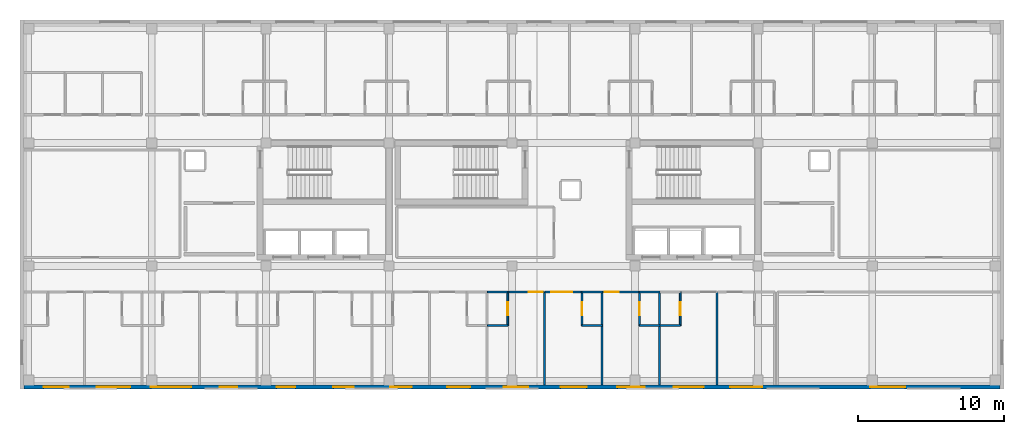
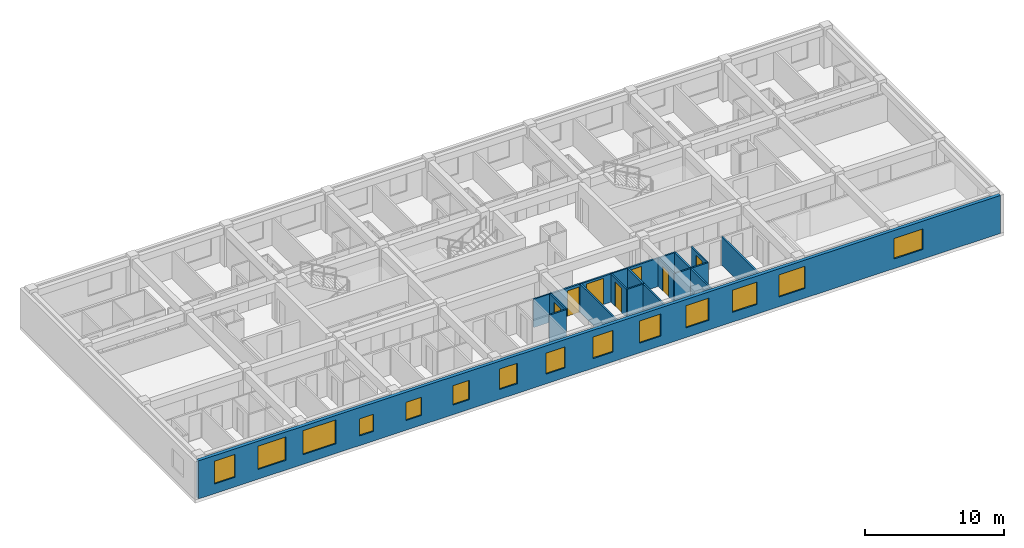
# One storey, part 5 of 10: 19 walls, 14 windows, 7 doors, 21 openings.
"""IFC4 building model written with IfcOpenShell, lengths in metres."""

from ifc_helpers import new_model, si_unit, direction, frame, frame_2d, origin, place, context, subcontext, project, spatial, rectangle, extrude, material, layer, layer_set, type_object, element, fill, save


model = new_model("IFC4")

# Units and contexts
model_context = context("Model", 3, precision=1e-05, world=origin(), true_north=direction((0.0, 1.0)))
body_context = subcontext(model_context, "Body", "Model", "MODEL_VIEW")
ifc_project = project(units=[si_unit("LENGTHUNIT", "METRE"), si_unit("AREAUNIT", "SQUARE_METRE"), si_unit("VOLUMEUNIT", "CUBIC_METRE"), si_unit("PLANEANGLEUNIT", "RADIAN"), si_unit("MASSUNIT", "GRAM", prefix="KILO")], contexts=[model_context])

# Site, building, storey
site_placement = place(None, origin())
site = spatial("IfcSite", under=ifc_project, at=site_placement, CompositionType="ELEMENT")
building_placement = place(site_placement, origin())
building = spatial("IfcBuilding", under=site, at=building_placement, Name="Zayran Congress Hotel", CompositionType="ELEMENT")
storey_placement = place(building_placement, frame((0.0, 0.0, 30.0)))
storey = spatial("IfcBuildingStorey", under=building, at=storey_placement, Name="L07", CompositionType="ELEMENT", Elevation=30.0)

# Wall, openings, windows
ifc_material_1 = material(Name="Hajar Ma'ani limestone cavity wall and concrete C32/40", Category="masonry")
ifc_layer_1 = layer(ifc_material_1, 0.280029296875)
ifc_layer_set_1 = layer_set([ifc_layer_1], Name="Hajar Ma'ani limestone cavity wall and concrete C32/40")
wall_type_1 = type_object("IfcWallType", Name="WL-EX-280", PredefinedType="SOLIDWALL", material=ifc_layer_set_1)
wall_1_placement = place(storey_placement, frame((75.320068359375, 8.93994140625, 0.0), z_axis=(0.0, 0.0, 1.0), x_axis=(-1.0, 0.0, 0.0)))
wall_1 = element("IfcWall", 1, at=wall_1_placement, inside=storey, type_object=wall_type_1, Name="EW-V5-S-L07", PredefinedType="SOLIDWALL", context=body_context, shape_type="SweptSolid", body=[
    extrude(rectangle(XDim=66.64013671875, YDim=0.280029296875, at=frame_2d((33.320068359375, 0.0))), origin(), (0.0, 0.0, 1.0), 3.340087890625),
])
opening_1_placement = place(wall_1_placement, frame((6.469970703125, 0.0, 0.85009765625)))
opening_1 = element("IfcOpeningElement", 2, at=opening_1_placement, cuts=wall_1, Name="Opening WN-03", PredefinedType="OPENING", context=body_context, shape_type="SweptSolid", body=[
    extrude(rectangle(XDim=2.39990234375, YDim=1.800048828125, at=frame_2d((1.199951171875, 0.89990234375))), frame((0.0, 0.14990234375, 0.0), z_axis=(0.0, -1.0, 0.0), x_axis=(1.0, 0.0, 0.0)), (0.0, 0.0, 1.0), 0.300048828125),
])
opening_2_placement = place(wall_1_placement, frame((63.60595703125, 0.0, 0.85009765625)))
opening_2 = element("IfcOpeningElement", 3, at=opening_2_placement, cuts=wall_1, Name="Opening WN-27", PredefinedType="OPENING", context=body_context, shape_type="SweptSolid", body=[
    extrude(rectangle(XDim=1.699951171875, YDim=2.0, at=frame_2d((0.85009765625, 1.0))), frame((0.0, 0.14990234375, 0.0), z_axis=(0.0, -1.0, 0.0), x_axis=(1.0, 0.0, 0.0)), (0.0, 0.0, 1.0), 0.300048828125),
])
opening_3_placement = place(wall_1_placement, frame((59.37890625, 0.0, 0.85009765625)))
opening_3 = element("IfcOpeningElement", 4, at=opening_3_placement, cuts=wall_1, Name="Opening WN-28", PredefinedType="OPENING", context=body_context, shape_type="SweptSolid", body=[
    extrude(rectangle(XDim=2.300048828125, YDim=2.050048828125, at=frame_2d((1.14990234375, 1.02490234375))), frame((0.0, 0.14990234375, 0.0), z_axis=(0.0, -1.0, 0.0), x_axis=(1.0, 0.0, 0.0)), (0.0, 0.0, 1.0), 0.300048828125),
])
opening_4_placement = place(wall_1_placement, frame((55.22705078125, 0.0, 0.85009765625)))
opening_4 = element("IfcOpeningElement", 5, at=opening_4_placement, cuts=wall_1, Name="Opening WN-29", PredefinedType="OPENING", context=body_context, shape_type="SweptSolid", body=[
    extrude(rectangle(XDim=2.75, YDim=2.10009765625, at=frame_2d((1.375, 1.050048828125))), frame((0.0, 0.14990234375, 0.0), z_axis=(0.0, -1.0, 0.0), x_axis=(1.0, 0.0, 0.0)), (0.0, 0.0, 1.0), 0.300048828125),
])
opening_5_placement = place(wall_1_placement, frame((52.0849609375, 0.0, 0.85009765625)))
opening_5 = element("IfcOpeningElement", 6, at=opening_5_placement, cuts=wall_1, Name="Opening WN-31", PredefinedType="OPENING", context=body_context, shape_type="SweptSolid", body=[
    extrude(rectangle(XDim=1.179931640625, YDim=1.5, at=frame_2d((0.58984375, 0.75))), frame((0.0, 0.14990234375, 0.0), z_axis=(0.0, -1.0, 0.0), x_axis=(1.0, 0.0, 0.0)), (0.0, 0.0, 1.0), 0.300048828125),
])
opening_6_placement = place(wall_1_placement, frame((48.10791015625, 0.0, 0.85009765625)))
opening_6 = element("IfcOpeningElement", 7, at=opening_6_placement, cuts=wall_1, Name="Opening WN-32", PredefinedType="OPENING", context=body_context, shape_type="SweptSolid", body=[
    extrude(rectangle(XDim=1.280029296875, YDim=1.60009765625, at=frame_2d((0.64013671875, 0.800048828125))), frame((0.0, 0.14990234375, 0.0), z_axis=(0.0, -1.0, 0.0), x_axis=(1.0, 0.0, 0.0)), (0.0, 0.0, 1.0), 0.300048828125),
])
opening_7_placement = place(wall_1_placement, frame((44.131103515625, 0.0, 0.85009765625)))
opening_7 = element("IfcOpeningElement", 8, at=opening_7_placement, cuts=wall_1, Name="Opening WN-33", PredefinedType="OPENING", context=body_context, shape_type="SweptSolid", body=[
    extrude(rectangle(XDim=1.3798828125, YDim=1.699951171875, at=frame_2d((0.68994140625, 0.85009765625))), frame((0.0, 0.14990234375, 0.0), z_axis=(0.0, -1.0, 0.0), x_axis=(1.0, 0.0, 0.0)), (0.0, 0.0, 1.0), 0.300048828125),
])
opening_8_placement = place(wall_1_placement, frame((40.155029296875, 0.0, 0.85009765625)))
opening_8 = element("IfcOpeningElement", 9, at=opening_8_placement, cuts=wall_1, Name="Opening WN-34", PredefinedType="OPENING", context=body_context, shape_type="SweptSolid", body=[
    extrude(rectangle(XDim=1.47998046875, YDim=1.800048828125, at=frame_2d((0.739990234375, 0.89990234375))), frame((0.0, 0.14990234375, 0.0), z_axis=(0.0, -1.0, 0.0), x_axis=(1.0, 0.0, 0.0)), (0.0, 0.0, 1.0), 0.300048828125),
])
opening_9_placement = place(wall_1_placement, frame((36.177978515625, 0.0, 0.85009765625)))
opening_9 = element("IfcOpeningElement", 10, at=opening_9_placement, cuts=wall_1, Name="Opening WN-35", PredefinedType="OPENING", context=body_context, shape_type="SweptSolid", body=[
    extrude(rectangle(XDim=1.580078125, YDim=1.85009765625, at=frame_2d((0.7900390625, 0.925048828125))), frame((0.0, 0.14990234375, 0.0), z_axis=(0.0, -1.0, 0.0), x_axis=(1.0, 0.0, 0.0)), (0.0, 0.0, 1.0), 0.300048828125),
])
opening_10_placement = place(wall_1_placement, frame((32.200927734375, 0.0, 0.85009765625)))
opening_10 = element("IfcOpeningElement", 11, at=opening_10_placement, cuts=wall_1, Name="Opening WN-36", PredefinedType="OPENING", context=body_context, shape_type="SweptSolid", body=[
    extrude(rectangle(XDim=1.679931640625, YDim=1.89990234375, at=frame_2d((0.83984375, 0.949951171875))), frame((0.0, 0.14990234375, 0.0), z_axis=(0.0, -1.0, 0.0), x_axis=(1.0, 0.0, 0.0)), (0.0, 0.0, 1.0), 0.300048828125),
])
opening_11_placement = place(wall_1_placement, frame((28.22412109375, 0.0, 0.85009765625)))
opening_11 = element("IfcOpeningElement", 12, at=opening_11_placement, cuts=wall_1, Name="Opening WN-37", PredefinedType="OPENING", context=body_context, shape_type="SweptSolid", body=[
    extrude(rectangle(XDim=1.780029296875, YDim=1.949951171875, at=frame_2d((0.89013671875, 0.97509765625))), frame((0.0, 0.14990234375, 0.0), z_axis=(0.0, -1.0, 0.0), x_axis=(1.0, 0.0, 0.0)), (0.0, 0.0, 1.0), 0.300048828125),
])
opening_12_placement = place(wall_1_placement, frame((24.2470703125, 0.0, 0.85009765625)))
opening_12 = element("IfcOpeningElement", 13, at=opening_12_placement, cuts=wall_1, Name="Opening WN-38", PredefinedType="OPENING", context=body_context, shape_type="SweptSolid", body=[
    extrude(rectangle(XDim=1.8798828125, YDim=1.949951171875, at=frame_2d((0.93994140625, 0.97509765625))), frame((0.0, 0.14990234375, 0.0), z_axis=(0.0, -1.0, 0.0), x_axis=(1.0, 0.0, 0.0)), (0.0, 0.0, 1.0), 0.300048828125),
])
opening_13_placement = place(wall_1_placement, frame((20.235107421875, 0.0, 0.85009765625)))
opening_13 = element("IfcOpeningElement", 14, at=opening_13_placement, cuts=wall_1, Name="Opening WN-39", PredefinedType="OPENING", context=body_context, shape_type="SweptSolid", body=[
    extrude(rectangle(XDim=2.050048828125, YDim=1.949951171875, at=frame_2d((1.02490234375, 0.97509765625))), frame((0.0, 0.14990234375, 0.0), z_axis=(0.0, -1.0, 0.0), x_axis=(1.0, 0.0, 0.0)), (0.0, 0.0, 1.0), 0.300048828125),
])
opening_14_placement = place(wall_1_placement, frame((16.242919921875, 0.0, 0.85009765625)))
opening_14 = element("IfcOpeningElement", 15, at=opening_14_placement, cuts=wall_1, Name="Opening WN-40", PredefinedType="OPENING", context=body_context, shape_type="SweptSolid", body=[
    extrude(rectangle(XDim=2.179931640625, YDim=1.949951171875, at=frame_2d((1.08984375, 0.97509765625))), frame((0.0, 0.14990234375, 0.0), z_axis=(0.0, -1.0, 0.0), x_axis=(1.0, 0.0, 0.0)), (0.0, 0.0, 1.0), 0.300048828125),
])
ifc_material_2 = material(Name="Anodised aluminium and low-E insulated glass", Category="aluminium")
window_type_1 = type_object("IfcWindowType", Name="TP-WN-03", PartitioningType="DOUBLE_PANEL_VERTICAL", PredefinedType="WINDOW", material=ifc_material_2)
window_1_placement = place(opening_1_placement, origin())
window_1 = element("IfcWindow", 16, at=window_1_placement, inside=storey, type_object=window_type_1, Name="WIN-V5S-L07-0362", OverallHeight=1.800048828125, OverallWidth=2.39990234375, PartitioningType="SINGLE_PANEL", PredefinedType="WINDOW", context=body_context, shape_type="SweptSolid", body=[
    extrude(rectangle(XDim=2.39990234375, YDim=1.800048828125, at=frame_2d((1.199951171875, 0.89990234375))), frame((0.0, 0.030029296875, 0.0), z_axis=(0.0, -1.0, 0.0), x_axis=(1.0, 0.0, 0.0)), (0.0, 0.0, 1.0), 0.06005859375),
])
fill(opening_1, window_1)
window_type_2 = type_object("IfcWindowType", Name="TP-WN-27", PartitioningType="DOUBLE_PANEL_VERTICAL", PredefinedType="WINDOW", material=ifc_material_2)
window_2_placement = place(opening_2_placement, origin())
window_2 = element("IfcWindow", 17, at=window_2_placement, inside=storey, type_object=window_type_2, Name="WIN-V5S-L07-0363", OverallHeight=2.0, OverallWidth=1.699951171875, PartitioningType="SINGLE_PANEL", PredefinedType="WINDOW", context=body_context, shape_type="SweptSolid", body=[
    extrude(rectangle(XDim=1.699951171875, YDim=2.0, at=frame_2d((0.85009765625, 1.0))), frame((0.0, 0.030029296875, 0.0), z_axis=(0.0, -1.0, 0.0), x_axis=(1.0, 0.0, 0.0)), (0.0, 0.0, 1.0), 0.06005859375),
])
fill(opening_2, window_2)
window_type_3 = type_object("IfcWindowType", Name="TP-WN-28", PartitioningType="DOUBLE_PANEL_VERTICAL", PredefinedType="WINDOW", material=ifc_material_2)
window_3_placement = place(opening_3_placement, origin())
window_3 = element("IfcWindow", 18, at=window_3_placement, inside=storey, type_object=window_type_3, Name="WIN-V5S-L07-0364", OverallHeight=2.050048828125, OverallWidth=2.300048828125, PartitioningType="SINGLE_PANEL", PredefinedType="WINDOW", context=body_context, shape_type="SweptSolid", body=[
    extrude(rectangle(XDim=2.300048828125, YDim=2.050048828125, at=frame_2d((1.14990234375, 1.02490234375))), frame((0.0, 0.030029296875, 0.0), z_axis=(0.0, -1.0, 0.0), x_axis=(1.0, 0.0, 0.0)), (0.0, 0.0, 1.0), 0.06005859375),
])
fill(opening_3, window_3)
window_type_4 = type_object("IfcWindowType", Name="TP-WN-29", PartitioningType="TRIPLE_PANEL_VERTICAL", PredefinedType="WINDOW", material=ifc_material_2)
window_4_placement = place(opening_4_placement, origin())
window_4 = element("IfcWindow", 19, at=window_4_placement, inside=storey, type_object=window_type_4, Name="WIN-V5S-L07-0365", OverallHeight=2.10009765625, OverallWidth=2.75, PartitioningType="SINGLE_PANEL", PredefinedType="WINDOW", context=body_context, shape_type="SweptSolid", body=[
    extrude(rectangle(XDim=2.75, YDim=2.10009765625, at=frame_2d((1.375, 1.050048828125))), frame((0.0, 0.030029296875, 0.0), z_axis=(0.0, -1.0, 0.0), x_axis=(1.0, 0.0, 0.0)), (0.0, 0.0, 1.0), 0.06005859375),
])
fill(opening_4, window_4)
window_type_5 = type_object("IfcWindowType", Name="TP-WN-31", PartitioningType="SINGLE_PANEL", PredefinedType="WINDOW", material=ifc_material_2)
window_5_placement = place(opening_5_placement, origin())
window_5 = element("IfcWindow", 20, at=window_5_placement, inside=storey, type_object=window_type_5, Name="WIN-V5S-L07-0366", OverallHeight=1.5, OverallWidth=1.179931640625, PartitioningType="SINGLE_PANEL", PredefinedType="WINDOW", context=body_context, shape_type="SweptSolid", body=[
    extrude(rectangle(XDim=1.179931640625, YDim=1.5, at=frame_2d((0.58984375, 0.75))), frame((0.0, 0.030029296875, 0.0), z_axis=(0.0, -1.0, 0.0), x_axis=(1.0, 0.0, 0.0)), (0.0, 0.0, 1.0), 0.06005859375),
])
fill(opening_5, window_5)
window_type_6 = type_object("IfcWindowType", Name="TP-WN-32", PartitioningType="SINGLE_PANEL", PredefinedType="WINDOW", material=ifc_material_2)
window_6_placement = place(opening_6_placement, origin())
window_6 = element("IfcWindow", 21, at=window_6_placement, inside=storey, type_object=window_type_6, Name="WIN-V5S-L07-0367", OverallHeight=1.60009765625, OverallWidth=1.280029296875, PartitioningType="SINGLE_PANEL", PredefinedType="WINDOW", context=body_context, shape_type="SweptSolid", body=[
    extrude(rectangle(XDim=1.280029296875, YDim=1.60009765625, at=frame_2d((0.64013671875, 0.800048828125))), frame((0.0, 0.030029296875, 0.0), z_axis=(0.0, -1.0, 0.0), x_axis=(1.0, 0.0, 0.0)), (0.0, 0.0, 1.0), 0.06005859375),
])
fill(opening_6, window_6)
window_type_7 = type_object("IfcWindowType", Name="TP-WN-33", PartitioningType="SINGLE_PANEL", PredefinedType="WINDOW", material=ifc_material_2)
window_7_placement = place(opening_7_placement, origin())
window_7 = element("IfcWindow", 22, at=window_7_placement, inside=storey, type_object=window_type_7, Name="WIN-V5S-L07-0368", OverallHeight=1.699951171875, OverallWidth=1.3798828125, PartitioningType="SINGLE_PANEL", PredefinedType="WINDOW", context=body_context, shape_type="SweptSolid", body=[
    extrude(rectangle(XDim=1.3798828125, YDim=1.699951171875, at=frame_2d((0.68994140625, 0.85009765625))), frame((0.0, 0.030029296875, 0.0), z_axis=(0.0, -1.0, 0.0), x_axis=(1.0, 0.0, 0.0)), (0.0, 0.0, 1.0), 0.06005859375),
])
fill(opening_7, window_7)
window_type_8 = type_object("IfcWindowType", Name="TP-WN-34", PartitioningType="SINGLE_PANEL", PredefinedType="WINDOW", material=ifc_material_2)
window_8_placement = place(opening_8_placement, origin())
window_8 = element("IfcWindow", 23, at=window_8_placement, inside=storey, type_object=window_type_8, Name="WIN-V5S-L07-0369", OverallHeight=1.800048828125, OverallWidth=1.47998046875, PartitioningType="SINGLE_PANEL", PredefinedType="WINDOW", context=body_context, shape_type="SweptSolid", body=[
    extrude(rectangle(XDim=1.47998046875, YDim=1.800048828125, at=frame_2d((0.739990234375, 0.89990234375))), frame((0.0, 0.030029296875, 0.0), z_axis=(0.0, -1.0, 0.0), x_axis=(1.0, 0.0, 0.0)), (0.0, 0.0, 1.0), 0.06005859375),
])
fill(opening_8, window_8)
window_type_9 = type_object("IfcWindowType", Name="TP-WN-35", PartitioningType="DOUBLE_PANEL_VERTICAL", PredefinedType="WINDOW", material=ifc_material_2)
window_9_placement = place(opening_9_placement, origin())
window_9 = element("IfcWindow", 24, at=window_9_placement, inside=storey, type_object=window_type_9, Name="WIN-V5S-L07-0370", OverallHeight=1.85009765625, OverallWidth=1.580078125, PartitioningType="SINGLE_PANEL", PredefinedType="WINDOW", context=body_context, shape_type="SweptSolid", body=[
    extrude(rectangle(XDim=1.580078125, YDim=1.85009765625, at=frame_2d((0.7900390625, 0.925048828125))), frame((0.0, 0.030029296875, 0.0), z_axis=(0.0, -1.0, 0.0), x_axis=(1.0, 0.0, 0.0)), (0.0, 0.0, 1.0), 0.06005859375),
])
fill(opening_9, window_9)
window_type_10 = type_object("IfcWindowType", Name="TP-WN-36", PartitioningType="DOUBLE_PANEL_VERTICAL", PredefinedType="WINDOW", material=ifc_material_2)
window_10_placement = place(opening_10_placement, origin())
window_10 = element("IfcWindow", 25, at=window_10_placement, inside=storey, type_object=window_type_10, Name="WIN-V5S-L07-0371", OverallHeight=1.89990234375, OverallWidth=1.679931640625, PartitioningType="SINGLE_PANEL", PredefinedType="WINDOW", context=body_context, shape_type="SweptSolid", body=[
    extrude(rectangle(XDim=1.679931640625, YDim=1.89990234375, at=frame_2d((0.83984375, 0.949951171875))), frame((0.0, 0.030029296875, 0.0), z_axis=(0.0, -1.0, 0.0), x_axis=(1.0, 0.0, 0.0)), (0.0, 0.0, 1.0), 0.06005859375),
])
fill(opening_10, window_10)
window_type_11 = type_object("IfcWindowType", Name="TP-WN-37", PartitioningType="DOUBLE_PANEL_VERTICAL", PredefinedType="WINDOW", material=ifc_material_2)
window_11_placement = place(opening_11_placement, origin())
window_11 = element("IfcWindow", 26, at=window_11_placement, inside=storey, type_object=window_type_11, Name="WIN-V5S-L07-0372", OverallHeight=1.949951171875, OverallWidth=1.780029296875, PartitioningType="SINGLE_PANEL", PredefinedType="WINDOW", context=body_context, shape_type="SweptSolid", body=[
    extrude(rectangle(XDim=1.780029296875, YDim=1.949951171875, at=frame_2d((0.89013671875, 0.97509765625))), frame((0.0, 0.030029296875, 0.0), z_axis=(0.0, -1.0, 0.0), x_axis=(1.0, 0.0, 0.0)), (0.0, 0.0, 1.0), 0.06005859375),
])
fill(opening_11, window_11)
window_type_12 = type_object("IfcWindowType", Name="TP-WN-38", PartitioningType="DOUBLE_PANEL_VERTICAL", PredefinedType="WINDOW", material=ifc_material_2)
window_12_placement = place(opening_12_placement, origin())
window_12 = element("IfcWindow", 27, at=window_12_placement, inside=storey, type_object=window_type_12, Name="WIN-V5S-L07-0373", OverallHeight=1.949951171875, OverallWidth=1.8798828125, PartitioningType="SINGLE_PANEL", PredefinedType="WINDOW", context=body_context, shape_type="SweptSolid", body=[
    extrude(rectangle(XDim=1.8798828125, YDim=1.949951171875, at=frame_2d((0.93994140625, 0.97509765625))), frame((0.0, 0.030029296875, 0.0), z_axis=(0.0, -1.0, 0.0), x_axis=(1.0, 0.0, 0.0)), (0.0, 0.0, 1.0), 0.06005859375),
])
fill(opening_12, window_12)
window_type_13 = type_object("IfcWindowType", Name="TP-WN-39", PartitioningType="DOUBLE_PANEL_VERTICAL", PredefinedType="WINDOW", material=ifc_material_2)
window_13_placement = place(opening_13_placement, origin())
window_13 = element("IfcWindow", 28, at=window_13_placement, inside=storey, type_object=window_type_13, Name="WIN-V5S-L07-0374", OverallHeight=1.949951171875, OverallWidth=2.050048828125, PartitioningType="SINGLE_PANEL", PredefinedType="WINDOW", context=body_context, shape_type="SweptSolid", body=[
    extrude(rectangle(XDim=2.050048828125, YDim=1.949951171875, at=frame_2d((1.02490234375, 0.97509765625))), frame((0.0, 0.030029296875, 0.0), z_axis=(0.0, -1.0, 0.0), x_axis=(1.0, 0.0, 0.0)), (0.0, 0.0, 1.0), 0.06005859375),
])
fill(opening_13, window_13)
window_type_14 = type_object("IfcWindowType", Name="TP-WN-40", PartitioningType="DOUBLE_PANEL_VERTICAL", PredefinedType="WINDOW", material=ifc_material_2)
window_14_placement = place(opening_14_placement, origin())
window_14 = element("IfcWindow", 29, at=window_14_placement, inside=storey, type_object=window_type_14, Name="WIN-V5S-L07-0375", OverallHeight=1.949951171875, OverallWidth=2.179931640625, PartitioningType="SINGLE_PANEL", PredefinedType="WINDOW", context=body_context, shape_type="SweptSolid", body=[
    extrude(rectangle(XDim=2.179931640625, YDim=1.949951171875, at=frame_2d((1.08984375, 0.97509765625))), frame((0.0, 0.030029296875, 0.0), z_axis=(0.0, -1.0, 0.0), x_axis=(1.0, 0.0, 0.0)), (0.0, 0.0, 1.0), 0.06005859375),
])
fill(opening_14, window_14)

# Wall, opening, door
ifc_material_3 = material(Name="Hospitality guestroom acoustic partition", Category="gypsum")
ifc_layer_2 = layer(ifc_material_3, 0.139892578125)
ifc_layer_set_2 = layer_set([ifc_layer_2], Name="Hospitality guestroom acoustic partition")
wall_type_2 = type_object("IfcWallType", Name="WL-PT-140", PredefinedType="PARTITIONING", material=ifc_layer_set_2)
wall_2_placement = place(storey_placement, frame((41.7080078125, 15.419921875, 0.0), z_axis=(0.0, 0.0, 1.0), x_axis=(1.0, 0.0, 0.0)))
wall_2 = element("IfcWall", 30, at=wall_2_placement, inside=storey, type_object=wall_type_2, Name="IW-L07-0734", PredefinedType="PARTITIONING", context=body_context, shape_type="SweptSolid", body=[
    extrude(rectangle(XDim=2.52392578125, YDim=0.139892578125, at=frame_2d((1.261962890625, 0.0))), origin(), (0.0, 0.0, 1.0), 2.47998046875),
])
opening_15_placement = place(wall_2_placement, frame((1.424072265625, 0.0, 0.0)))
opening_15 = element("IfcOpeningElement", 31, at=opening_15_placement, cuts=wall_2, Name="Opening DR-GR-03", PredefinedType="OPENING", context=body_context, shape_type="SweptSolid", body=[
    extrude(rectangle(XDim=0.9599609375, YDim=2.25, at=frame_2d((0.47998046875, 1.125))), frame((0.0, 0.079833984375, 0.0), z_axis=(0.0, -1.0, 0.0), x_axis=(1.0, 0.0, 0.0)), (0.0, 0.0, 1.0), 0.159912109375),
])
ifc_material_4 = material(Name="Executive walnut veneer entry door", Category="wood")
door_type_1 = type_object("IfcDoorType", Name="TP-DR-GR-03", OperationType="NOTDEFINED", PredefinedType="DOOR", material=ifc_material_4)
door_1_placement = place(opening_15_placement, origin())
door_1 = element("IfcDoor", 32, at=door_1_placement, inside=storey, type_object=door_type_1, Name="Guest Room L07-09 Door", OperationType="SINGLE_SWING_LEFT", OverallHeight=2.25, OverallWidth=0.9599609375, PredefinedType="DOOR", context=body_context, shape_type="SweptSolid", body=[
    extrude(rectangle(XDim=0.9599609375, YDim=2.25, at=frame_2d((0.47998046875, 1.125))), frame((0.0, 0.02490234375, 0.0), z_axis=(0.0, -1.0, 0.0), x_axis=(1.0, 0.0, 0.0)), (0.0, 0.0, 1.0), 0.050048828125),
])
fill(opening_15, door_1)

wall_3_placement = place(storey_placement, frame((44.251953125, 15.419921875, 0.0), z_axis=(0.0, 0.0, 1.0), x_axis=(1.0, 0.0, 0.0)))
wall_3 = element("IfcWall", 33, at=wall_3_placement, inside=storey, type_object=wall_type_2, Name="IW-L07-0735", PredefinedType="PARTITIONING", context=body_context, shape_type="SweptSolid", body=[
    extrude(rectangle(XDim=2.52392578125, YDim=0.139892578125, at=frame_2d((1.261962890625, 0.0))), origin(), (0.0, 0.0, 1.0), 2.47998046875),
])
opening_16_placement = place(wall_3_placement, frame((0.424072265625, 0.0, 0.0)))
opening_16 = element("IfcOpeningElement", 34, at=opening_16_placement, cuts=wall_3, Name="Opening DR-ST-01", PredefinedType="OPENING", context=body_context, shape_type="SweptSolid", body=[
    extrude(rectangle(XDim=1.449951171875, YDim=2.300048828125, at=frame_2d((0.72509765625, 1.14990234375))), frame((0.0, 0.079833984375, 0.0), z_axis=(0.0, -1.0, 0.0), x_axis=(1.0, 0.0, 0.0)), (0.0, 0.0, 1.0), 0.159912109375),
])
ifc_material_5 = material(Name="Double walnut veneer suite entry door", Category="wood")
door_type_2 = type_object("IfcDoorType", Name="TP-DR-ST-01", OperationType="DOUBLE_DOOR_SINGLE_SWING", PredefinedType="DOOR", material=ifc_material_5)
door_2_placement = place(opening_16_placement, origin())
door_2 = element("IfcDoor", 35, at=door_2_placement, inside=storey, type_object=door_type_2, Name="Junior Suite L07-10 Door", OperationType="DOUBLE_DOOR_SINGLE_SWING", OverallHeight=2.300048828125, OverallWidth=1.449951171875, PredefinedType="DOOR", context=body_context, shape_type="SweptSolid", body=[
    extrude(rectangle(XDim=1.449951171875, YDim=2.300048828125, at=frame_2d((0.72509765625, 1.14990234375))), frame((0.0, 0.02490234375, 0.0), z_axis=(0.0, -1.0, 0.0), x_axis=(1.0, 0.0, 0.0)), (0.0, 0.0, 1.0), 0.050048828125),
])
fill(opening_16, door_2)

wall_4_placement = place(storey_placement, frame((48.178955078125, 15.419921875, 0.0), z_axis=(0.0, 0.0, 1.0), x_axis=(1.0, 0.0, 0.0)))
wall_4 = element("IfcWall", 36, at=wall_4_placement, inside=storey, type_object=wall_type_2, Name="IW-L07-0736", PredefinedType="PARTITIONING", context=body_context, shape_type="SweptSolid", body=[
    extrude(rectangle(XDim=2.52392578125, YDim=0.139892578125, at=frame_2d((1.261962890625, 0.0))), origin(), (0.0, 0.0, 1.0), 2.47998046875),
])
opening_17_placement = place(wall_4_placement, frame((0.139892578125, 0.0, 0.0)))
opening_17 = element("IfcOpeningElement", 37, at=opening_17_placement, cuts=wall_4, Name="Opening DR-GR-03", PredefinedType="OPENING", context=body_context, shape_type="SweptSolid", body=[
    extrude(rectangle(XDim=0.9599609375, YDim=2.25, at=frame_2d((0.47998046875, 1.125))), frame((0.0, 0.079833984375, 0.0), z_axis=(0.0, -1.0, 0.0), x_axis=(1.0, 0.0, 0.0)), (0.0, 0.0, 1.0), 0.159912109375),
])
door_3_placement = place(opening_17_placement, origin())
door_3 = element("IfcDoor", 38, at=door_3_placement, inside=storey, type_object=door_type_1, Name="Guest Room L07-11 Door", OperationType="SINGLE_SWING_RIGHT", OverallHeight=2.25, OverallWidth=0.9599609375, PredefinedType="DOOR", context=body_context, shape_type="SweptSolid", body=[
    extrude(rectangle(XDim=0.9599609375, YDim=2.25, at=frame_2d((0.47998046875, 1.125))), frame((0.0, 0.02490234375, 0.0), z_axis=(0.0, -1.0, 0.0), x_axis=(1.0, 0.0, 0.0)), (0.0, 0.0, 1.0), 0.050048828125),
])
fill(opening_17, door_3)

# Walls
for number, where, z_axis, x_axis, name in (
    (39, (44.23193359375, 9.080078125, 0.0), (0.0, 0.0, 1.0), (0.0, 1.0, 0.0), "IW-L07-2067"),
    (40, (48.158935546875, 9.080078125, 0.0), (0.0, 0.0, 1.0), (0.0, 1.0, 0.0), "IW-L07-2068"),
    (41, (52.0859375, 9.080078125, 0.0), (0.0, 0.0, 1.0), (0.0, 1.0, 0.0), "IW-L07-2069"),
    (42, (56.012939453125, 9.080078125, 0.0), (0.0, 0.0, 1.0), (0.0, 1.0, 0.0), "IW-L07-2070"),
):
    element("IfcWall", number, at=place(storey_placement, frame(where, z_axis=z_axis, x_axis=x_axis)), inside=storey, type_object=wall_type_2, Name=name, PredefinedType="PARTITIONING", context=body_context, shape_type="SweptSolid", body=[
        extrude(rectangle(XDim=6.349853515625, YDim=0.139892578125, at=frame_2d((3.1748046875, 0.0))), origin(), (0.0, 0.0, 1.0), 2.47998046875),
    ])

# Wall, opening, door
ifc_material_6 = material(Name="Moisture-resistant bathroom partition", Category="gypsum")
ifc_layer_3 = layer(ifc_material_6, 0.1201171875)
ifc_layer_set_3 = layer_set([ifc_layer_3], Name="Moisture-resistant bathroom partition")
wall_type_3 = type_object("IfcWallType", Name="WL-PT-120", PredefinedType="PARTITIONING", material=ifc_layer_set_3)
wall_5_placement = place(storey_placement, frame((41.7080078125, 13.1201171875, 0.0), z_axis=(0.0, 0.0, 1.0), x_axis=(0.0, 1.0, 0.0)))
wall_5 = element("IfcWall", 43, at=wall_5_placement, inside=storey, type_object=wall_type_3, Name="IW-L07-0227", PredefinedType="PARTITIONING", context=body_context, shape_type="SweptSolid", body=[
    extrude(rectangle(XDim=2.309814453125, YDim=0.1201171875, at=frame_2d((1.15478515625, 0.0))), origin(), (0.0, 0.0, 1.0), 2.47998046875),
])
opening_18_placement = place(wall_5_placement, frame((0.715087890625, 0.0, 0.0)))
opening_18 = element("IfcOpeningElement", 44, at=opening_18_placement, cuts=wall_5, Name="Opening DR-BT-01", PredefinedType="OPENING", context=body_context, shape_type="SweptSolid", body=[
    extrude(rectangle(XDim=0.8798828125, YDim=2.14990234375, at=frame_2d((0.43994140625, 1.074951171875))), frame((0.0, 0.070068359375, 0.0), z_axis=(0.0, -1.0, 0.0), x_axis=(1.0, 0.0, 0.0)), (0.0, 0.0, 1.0), 0.14013671875),
])
ifc_material_7 = material(Name="Moisture-resistant oak en-suite door", Category="wood")
door_type_3 = type_object("IfcDoorType", Name="TP-DR-BT-01", OperationType="NOTDEFINED", PredefinedType="DOOR", material=ifc_material_7)
door_4_placement = place(opening_18_placement, origin())
door_4 = element("IfcDoor", 45, at=door_4_placement, inside=storey, type_object=door_type_3, Name="En-Suite Bathroom L07-09 Door", OperationType="SINGLE_SWING_RIGHT", OverallHeight=2.14990234375, OverallWidth=0.8798828125, PredefinedType="DOOR", context=body_context, shape_type="SweptSolid", body=[
    extrude(rectangle(XDim=0.8798828125, YDim=2.14990234375, at=frame_2d((0.43994140625, 1.074951171875))), frame((0.0, 0.02490234375, 0.0), z_axis=(0.0, -1.0, 0.0), x_axis=(1.0, 0.0, 0.0)), (0.0, 0.0, 1.0), 0.050048828125),
])
fill(opening_18, door_4)

wall_6_placement = place(storey_placement, frame((46.77587890625, 13.1201171875, 0.0), z_axis=(0.0, 0.0, 1.0), x_axis=(0.0, 1.0, 0.0)))
wall_6 = element("IfcWall", 46, at=wall_6_placement, inside=storey, type_object=wall_type_3, Name="IW-L07-0228", PredefinedType="PARTITIONING", context=body_context, shape_type="SweptSolid", body=[
    extrude(rectangle(XDim=2.309814453125, YDim=0.1201171875, at=frame_2d((1.15478515625, 0.0))), origin(), (0.0, 0.0, 1.0), 2.47998046875),
])
opening_19_placement = place(wall_6_placement, frame((0.715087890625, 0.0, 0.0)))
opening_19 = element("IfcOpeningElement", 47, at=opening_19_placement, cuts=wall_6, Name="Opening DR-BT-01", PredefinedType="OPENING", context=body_context, shape_type="SweptSolid", body=[
    extrude(rectangle(XDim=0.8798828125, YDim=2.14990234375, at=frame_2d((0.43994140625, 1.074951171875))), frame((0.0, 0.070068359375, 0.0), z_axis=(0.0, -1.0, 0.0), x_axis=(1.0, 0.0, 0.0)), (0.0, 0.0, 1.0), 0.14013671875),
])
door_5_placement = place(opening_19_placement, origin())
door_5 = element("IfcDoor", 48, at=door_5_placement, inside=storey, type_object=door_type_3, Name="En-Suite Bathroom L07-10 Door", OperationType="SINGLE_SWING_LEFT", OverallHeight=2.14990234375, OverallWidth=0.8798828125, PredefinedType="DOOR", context=body_context, shape_type="SweptSolid", body=[
    extrude(rectangle(XDim=0.8798828125, YDim=2.14990234375, at=frame_2d((0.43994140625, 1.074951171875))), frame((0.0, 0.02490234375, 0.0), z_axis=(0.0, -1.0, 0.0), x_axis=(1.0, 0.0, 0.0)), (0.0, 0.0, 1.0), 0.050048828125),
])
fill(opening_19, door_5)

wall_7_placement = place(storey_placement, frame((50.702880859375, 13.1201171875, 0.0), z_axis=(0.0, 0.0, 1.0), x_axis=(0.0, 1.0, 0.0)))
wall_7 = element("IfcWall", 49, at=wall_7_placement, inside=storey, type_object=wall_type_3, Name="IW-L07-0229", PredefinedType="PARTITIONING", context=body_context, shape_type="SweptSolid", body=[
    extrude(rectangle(XDim=2.309814453125, YDim=0.1201171875, at=frame_2d((1.15478515625, 0.0))), origin(), (0.0, 0.0, 1.0), 2.47998046875),
])
opening_20_placement = place(wall_7_placement, frame((0.715087890625, 0.0, 0.0)))
opening_20 = element("IfcOpeningElement", 50, at=opening_20_placement, cuts=wall_7, Name="Opening DR-BT-01", PredefinedType="OPENING", context=body_context, shape_type="SweptSolid", body=[
    extrude(rectangle(XDim=0.8798828125, YDim=2.14990234375, at=frame_2d((0.43994140625, 1.074951171875))), frame((0.0, 0.070068359375, 0.0), z_axis=(0.0, -1.0, 0.0), x_axis=(1.0, 0.0, 0.0)), (0.0, 0.0, 1.0), 0.14013671875),
])
door_6_placement = place(opening_20_placement, origin())
door_6 = element("IfcDoor", 51, at=door_6_placement, inside=storey, type_object=door_type_3, Name="En-Suite Bathroom L07-11 Door", OperationType="SINGLE_SWING_RIGHT", OverallHeight=2.14990234375, OverallWidth=0.8798828125, PredefinedType="DOOR", context=body_context, shape_type="SweptSolid", body=[
    extrude(rectangle(XDim=0.8798828125, YDim=2.14990234375, at=frame_2d((0.43994140625, 1.074951171875))), frame((0.0, 0.02490234375, 0.0), z_axis=(0.0, -1.0, 0.0), x_axis=(1.0, 0.0, 0.0)), (0.0, 0.0, 1.0), 0.050048828125),
])
fill(opening_20, door_6)

wall_8_placement = place(storey_placement, frame((53.489013671875, 13.1201171875, 0.0), z_axis=(0.0, 0.0, 1.0), x_axis=(0.0, 1.0, 0.0)))
wall_8 = element("IfcWall", 52, at=wall_8_placement, inside=storey, type_object=wall_type_3, Name="IW-L07-0230", PredefinedType="PARTITIONING", context=body_context, shape_type="SweptSolid", body=[
    extrude(rectangle(XDim=2.309814453125, YDim=0.1201171875, at=frame_2d((1.15478515625, 0.0))), origin(), (0.0, 0.0, 1.0), 2.47998046875),
])
opening_21_placement = place(wall_8_placement, frame((0.715087890625, 0.0, 0.0)))
opening_21 = element("IfcOpeningElement", 53, at=opening_21_placement, cuts=wall_8, Name="Opening DR-BT-01", PredefinedType="OPENING", context=body_context, shape_type="SweptSolid", body=[
    extrude(rectangle(XDim=0.8798828125, YDim=2.14990234375, at=frame_2d((0.43994140625, 1.074951171875))), frame((0.0, 0.070068359375, 0.0), z_axis=(0.0, -1.0, 0.0), x_axis=(1.0, 0.0, 0.0)), (0.0, 0.0, 1.0), 0.14013671875),
])
door_7_placement = place(opening_21_placement, origin())
door_7 = element("IfcDoor", 54, at=door_7_placement, inside=storey, type_object=door_type_3, Name="En-Suite Bathroom L07-12 Door", OperationType="SINGLE_SWING_LEFT", OverallHeight=2.14990234375, OverallWidth=0.8798828125, PredefinedType="DOOR", context=body_context, shape_type="SweptSolid", body=[
    extrude(rectangle(XDim=0.8798828125, YDim=2.14990234375, at=frame_2d((0.43994140625, 1.074951171875))), frame((0.0, 0.02490234375, 0.0), z_axis=(0.0, -1.0, 0.0), x_axis=(1.0, 0.0, 0.0)), (0.0, 0.0, 1.0), 0.050048828125),
])
fill(opening_21, door_7)

# Walls
wall_9_placement = place(storey_placement, frame((40.31494140625, 13.1298828125, 0.0), z_axis=(0.0, 0.0, 1.0), x_axis=(1.0, 0.0, 0.0)))
element("IfcWall", 55, at=wall_9_placement, inside=storey, type_object=wall_type_3, Name="IW-L07-1321", PredefinedType="PARTITIONING", context=body_context, shape_type="SweptSolid", body=[
    extrude(rectangle(XDim=1.403076171875, YDim=0.1201171875, at=frame_2d((0.70166015625, 0.0))), origin(), (0.0, 0.0, 1.0), 2.47998046875),
])
wall_10_placement = place(storey_placement, frame((40.31494140625, 15.419921875, 0.0), z_axis=(0.0, 0.0, 1.0), x_axis=(1.0, 0.0, 0.0)))
element("IfcWall", 56, at=wall_10_placement, inside=storey, type_object=wall_type_3, Name="IW-L07-1322", PredefinedType="PARTITIONING", context=body_context, shape_type="SweptSolid", body=[
    extrude(rectangle(XDim=1.39306640625, YDim=0.1201171875, at=frame_2d((0.696533203125, 0.0))), origin(), (0.0, 0.0, 1.0), 2.47998046875),
])
wall_11_placement = place(storey_placement, frame((46.76611328125, 13.1298828125, 0.0), z_axis=(0.0, 0.0, 1.0), x_axis=(1.0, 0.0, 0.0)))
element("IfcWall", 57, at=wall_11_placement, inside=storey, type_object=wall_type_3, Name="IW-L07-1323", PredefinedType="PARTITIONING", context=body_context, shape_type="SweptSolid", body=[
    extrude(rectangle(XDim=1.40283203125, YDim=0.1201171875, at=frame_2d((0.701416015625, 0.0))), origin(), (0.0, 0.0, 1.0), 2.47998046875),
])
wall_12_placement = place(storey_placement, frame((46.77587890625, 15.419921875, 0.0), z_axis=(0.0, 0.0, 1.0), x_axis=(1.0, 0.0, 0.0)))
element("IfcWall", 58, at=wall_12_placement, inside=storey, type_object=wall_type_3, Name="IW-L07-1324", PredefinedType="PARTITIONING", context=body_context, shape_type="SweptSolid", body=[
    extrude(rectangle(XDim=1.39306640625, YDim=0.1201171875, at=frame_2d((0.696533203125, 0.0))), origin(), (0.0, 0.0, 1.0), 2.47998046875),
])
wall_13_placement = place(storey_placement, frame((50.693115234375, 13.1298828125, 0.0), z_axis=(0.0, 0.0, 1.0), x_axis=(1.0, 0.0, 0.0)))
element("IfcWall", 59, at=wall_13_placement, inside=storey, type_object=wall_type_3, Name="IW-L07-1325", PredefinedType="PARTITIONING", context=body_context, shape_type="SweptSolid", body=[
    extrude(rectangle(XDim=1.40283203125, YDim=0.1201171875, at=frame_2d((0.701416015625, 0.0))), origin(), (0.0, 0.0, 1.0), 2.47998046875),
])
wall_14_placement = place(storey_placement, frame((50.702880859375, 15.419921875, 0.0), z_axis=(0.0, 0.0, 1.0), x_axis=(1.0, 0.0, 0.0)))
element("IfcWall", 60, at=wall_14_placement, inside=storey, type_object=wall_type_3, Name="IW-L07-1326", PredefinedType="PARTITIONING", context=body_context, shape_type="SweptSolid", body=[
    extrude(rectangle(XDim=1.39306640625, YDim=0.1201171875, at=frame_2d((0.696533203125, 0.0))), origin(), (0.0, 0.0, 1.0), 2.47998046875),
])
wall_15_placement = place(storey_placement, frame((52.095947265625, 13.1298828125, 0.0), z_axis=(0.0, 0.0, 1.0), x_axis=(1.0, 0.0, 0.0)))
element("IfcWall", 61, at=wall_15_placement, inside=storey, type_object=wall_type_3, Name="IW-L07-1327", PredefinedType="PARTITIONING", context=body_context, shape_type="SweptSolid", body=[
    extrude(rectangle(XDim=1.403076171875, YDim=0.1201171875, at=frame_2d((0.70166015625, 0.0))), origin(), (0.0, 0.0, 1.0), 2.47998046875),
])

save(model, "model.ifc")
